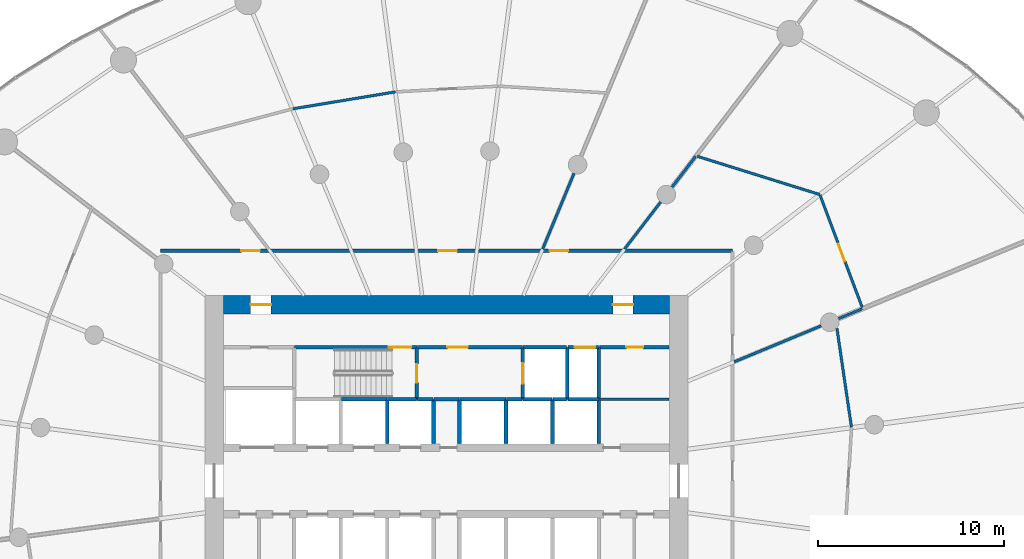
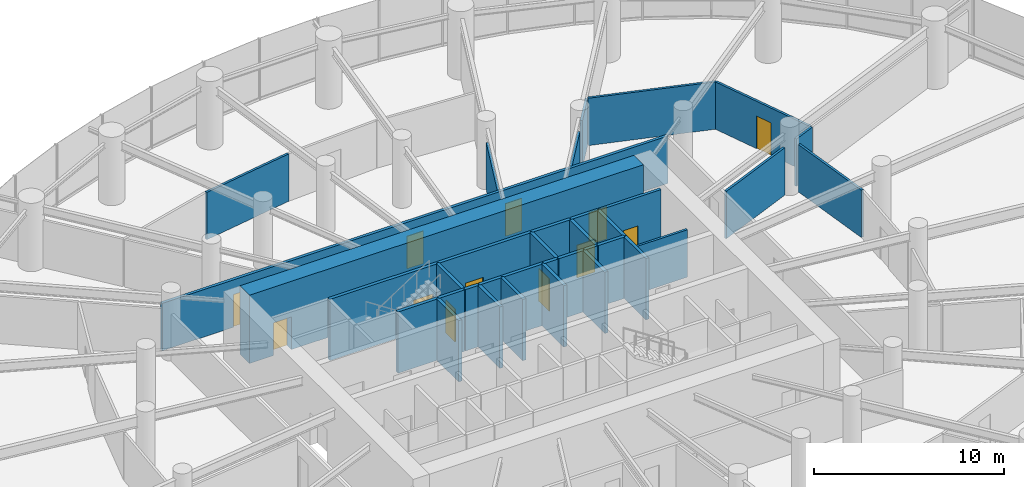
# One storey, part 15 of 19: 36 walls, 12 doors, 12 openings.
"""IFC4 building model written with IfcOpenShell, lengths in metres."""

from ifc_helpers import new_model, si_unit, direction, frame, frame_2d, origin, place, context, subcontext, project, spatial, rectangle, extrude, source, transform, mapped, material, layer, layer_set, type_object, element, fill, save


model = new_model("IFC4")

# Units and contexts
model_context = context("Model", 3, precision=1e-05, world=origin(), true_north=direction((0.0, 1.0)))
body_context = subcontext(model_context, "Body", "Model", "MODEL_VIEW")
ifc_project = project(units=[si_unit("LENGTHUNIT", "METRE"), si_unit("AREAUNIT", "SQUARE_METRE"), si_unit("VOLUMEUNIT", "CUBIC_METRE"), si_unit("PLANEANGLEUNIT", "RADIAN"), si_unit("MASSUNIT", "GRAM", prefix="KILO")], contexts=[model_context])

# Site, building, storey
site_placement = place(None, origin())
site = spatial("IfcSite", under=ifc_project, at=site_placement, CompositionType="ELEMENT")
building_placement = place(site_placement, origin())
building = spatial("IfcBuilding", under=site, at=building_placement, Name="Spindrift Exchange Tower", CompositionType="ELEMENT")
storey_placement = place(building_placement, frame((0.0, 0.0, 57.800048828125)))
storey = spatial("IfcBuildingStorey", under=building, at=storey_placement, Name="L13", CompositionType="ELEMENT", Elevation=57.800048828125)

# Wall, openings, doors
ifc_material_1 = material(Name="Concrete 80 MPa", Category="concrete")
ifc_layer_1 = layer(ifc_material_1, 1.0)
ifc_layer_set_1 = layer_set([ifc_layer_1], Name="RC Core Wall 1000 Concrete 80 MPa")
wall_type_1 = type_object("IfcWallType", Name="RC Core Wall 1000 Concrete 80 MPa", PredefinedType="SHEAR", material=ifc_layer_set_1)
wall_1_placement = place(storey_placement, frame((64.0, 57.5, 0.0), z_axis=(0.0, 0.0, 1.0), x_axis=(-1.0, 0.0, 0.0)))
wall_1 = element("IfcWall", 1, at=wall_1_placement, inside=storey, type_object=wall_type_1, Name="Core wall N L13", PredefinedType="SHEAR", context=body_context, shape_type="SweptSolid", body=[
    extrude(rectangle(XDim=24.0, YDim=1.0, at=frame_2d((12.0, 0.0))), origin(), (0.0, 0.0, 1.0), 4.39990234375),
])
opening_1_placement = place(wall_1_placement, frame((21.449951171875, 0.0, 0.0)))
opening_1 = element("IfcOpeningElement", 2, at=opening_1_placement, cuts=wall_1, Name="Opening L13-D20", PredefinedType="OPENING", context=body_context, shape_type="SweptSolid", body=[
    extrude(rectangle(XDim=1.10009765625, YDim=2.10009765625, at=frame_2d((0.550048828125, 1.050048828125))), frame((0.0, 0.510009765625, 0.0), z_axis=(0.0, -1.0, 0.0), x_axis=(1.0, 0.0, 0.0)), (0.0, 0.0, 1.0), 1.02001953125),
])
opening_2_placement = place(wall_1_placement, frame((1.949951171875, 0.0, 0.0)))
opening_2 = element("IfcOpeningElement", 3, at=opening_2_placement, cuts=wall_1, Name="Opening L13-D21", PredefinedType="OPENING", context=body_context, shape_type="SweptSolid", body=[
    extrude(rectangle(XDim=1.10009765625, YDim=2.10009765625, at=frame_2d((0.550048828125, 1.050048828125))), frame((0.0, 0.510009765625, 0.0), z_axis=(0.0, -1.0, 0.0), x_axis=(1.0, 0.0, 0.0)), (0.0, 0.0, 1.0), 1.02001953125),
])
ifc_material_2 = material(Name="Steel fire door", Category="steel")
door_type_1 = type_object("IfcDoorType", Name="DR-STAIR-1100", OperationType="NOTDEFINED", PredefinedType="DOOR", material=ifc_material_2)
shared_shape_1 = source(origin(), body_context, "Body", "SweptSolid", [
    extrude(rectangle(XDim=1.10009765625, YDim=2.10009765625, at=frame_2d((0.550048828125, 1.050048828125))), frame((0.0, 0.02490234375, 0.0), z_axis=(0.0, -1.0, 0.0), x_axis=(1.0, 0.0, 0.0)), (0.0, 0.0, 1.0), 0.050048828125),
])
door_1_placement = place(opening_1_placement, origin())
door_1 = element("IfcDoor", 4, at=door_1_placement, inside=storey, type_object=door_type_1, Name="L13 Stair door 20", OperationType="SINGLE_SWING_LEFT", OverallHeight=2.10009765625, OverallWidth=1.10009765625, PredefinedType="DOOR", context=body_context, shape_type="MappedRepresentation", body=[
    mapped(shared_shape_1, transform((0.0, 0.0, 0.0), scale=1.0)),
])
fill(opening_1, door_1)
door_2_placement = place(opening_2_placement, origin())
door_2 = element("IfcDoor", 5, at=door_2_placement, inside=storey, type_object=door_type_1, Name="L13 Stair door 21", OperationType="SINGLE_SWING_RIGHT", OverallHeight=2.10009765625, OverallWidth=1.10009765625, PredefinedType="DOOR", context=body_context, shape_type="MappedRepresentation", body=[
    mapped(shared_shape_1, transform((0.0, 0.0, 0.0), scale=1.0)),
])
fill(opening_2, door_2)

# Wall, opening, door
ifc_material_3 = material(Name="Fire-rated plasterboard partition", Category="gypsum")
ifc_layer_2 = layer(ifc_material_3, 0.179931640625)
ifc_layer_set_2 = layer_set([ifc_layer_2], Name="W-CORR-180")
wall_type_2 = type_object("IfcWallType", Name="W-CORR-180", PredefinedType="PARTITIONING", material=ifc_layer_set_2)
wall_2_placement = place(storey_placement, frame((63.97998046875, 55.199951171875, 0.0), z_axis=(0.0, 0.0, 1.0), x_axis=(-1.0, 0.0, 0.0)))
wall_2 = element("IfcWall", 6, at=wall_2_placement, inside=storey, type_object=wall_type_2, Name="L13 Partition wall 64", PredefinedType="PARTITIONING", context=body_context, shape_type="SweptSolid", body=[
    extrude(rectangle(XDim=3.75, YDim=0.179931640625, at=frame_2d((1.875, 0.0))), origin(), (0.0, 0.0, 1.0), 3.949951171875),
])
opening_3_placement = place(wall_2_placement, frame((1.39990234375, 0.0, 0.0)))
opening_3 = element("IfcOpeningElement", 7, at=opening_3_placement, cuts=wall_2, Name="Opening L13-D51", PredefinedType="OPENING", context=body_context, shape_type="SweptSolid", body=[
    extrude(rectangle(XDim=0.89990234375, YDim=2.10009765625, at=frame_2d((0.449951171875, 1.050048828125))), frame((0.0, 0.099853515625, 0.0), z_axis=(0.0, -1.0, 0.0), x_axis=(1.0, 0.0, 0.0)), (0.0, 0.0, 1.0), 0.199951171875),
])
ifc_material_4 = material(Name="Steel access door", Category="steel")
door_type_2 = type_object("IfcDoorType", Name="DR-RISER-900", OperationType="NOTDEFINED", PredefinedType="DOOR", material=ifc_material_4)
shared_shape_2 = source(origin(), body_context, "Body", "SweptSolid", [
    extrude(rectangle(XDim=0.89990234375, YDim=2.10009765625, at=frame_2d((0.449951171875, 1.050048828125))), frame((0.0, 0.02490234375, 0.0), z_axis=(0.0, -1.0, 0.0), x_axis=(1.0, 0.0, 0.0)), (0.0, 0.0, 1.0), 0.050048828125),
])
door_3_placement = place(opening_3_placement, origin())
door_3 = element("IfcDoor", 8, at=door_3_placement, inside=storey, type_object=door_type_2, Name="L13 Riser door 51", OperationType="SINGLE_SWING_RIGHT", OverallHeight=2.10009765625, OverallWidth=0.89990234375, PredefinedType="DOOR", context=body_context, shape_type="MappedRepresentation", body=[
    mapped(shared_shape_2, transform((0.0, 0.0, 0.0), scale=1.0)),
])
fill(opening_3, door_3)

# Walls
ifc_layer_3 = layer(ifc_material_3, 0.139892578125)
ifc_layer_set_3 = layer_set([ifc_layer_3], Name="W-PART-140")
wall_type_3 = type_object("IfcWallType", Name="W-PART-140", PredefinedType="PARTITIONING", material=ifc_layer_set_3)
wall_3_placement = place(storey_placement, frame((63.97998046875, 52.39990234375, 0.0), z_axis=(0.0, 0.0, 1.0), x_axis=(-1.0, 0.0, 0.0)))
element("IfcWall", 9, at=wall_3_placement, inside=storey, type_object=wall_type_3, Name="L13 Partition wall 105", PredefinedType="PARTITIONING", context=body_context, shape_type="SweptSolid", body=[
    extrude(rectangle(XDim=3.75, YDim=0.139892578125, at=frame_2d((1.875, 0.0))), origin(), (0.0, 0.0, 1.0), 3.050048828125),
])
ifc_layer_4 = layer(ifc_material_3, 0.139892578125)
ifc_layer_set_4 = layer_set([ifc_layer_4], Name="W-PLANT-140")
wall_type_4 = type_object("IfcWallType", Name="W-PLANT-140", PredefinedType="PARTITIONING", material=ifc_layer_set_4)
wall_4_placement = place(storey_placement, frame((72.101318359375, 63.42431640625, 0.0), z_axis=(0.0, 0.0, 1.0), x_axis=(-0.954540929829, 0.298079877351, 0.0)))
element("IfcWall", 10, at=wall_4_placement, inside=storey, type_object=wall_type_4, Name="L13 Partition wall 73", PredefinedType="PARTITIONING", context=body_context, shape_type="SweptSolid", body=[
    extrude(rectangle(XDim=6.9111328125, YDim=0.139892578125, at=frame_2d((3.45556640625, 0.0))), origin(), (0.0, 0.0, 1.0), 3.050048828125),
])

# Wall, opening, door
wall_5_placement = place(storey_placement, frame((72.11181640625, 63.39599609375, 0.0), z_axis=(0.0, 0.0, 1.0), x_axis=(0.351475385959, -0.936197122974, 0.0)))
wall_5 = element("IfcWall", 11, at=wall_5_placement, inside=storey, type_object=wall_type_4, Name="L13 Partition wall 75", PredefinedType="PARTITIONING", context=body_context, shape_type="SweptSolid", body=[
    extrude(rectangle(XDim=6.46142578125, YDim=0.139892578125, at=frame_2d((3.230712890625, 0.0))), origin(), (0.0, 0.0, 1.0), 3.050048828125),
])
opening_4_placement = place(wall_5_placement, frame((2.811279296875, 0.0, 0.0)))
opening_4 = element("IfcOpeningElement", 12, at=opening_4_placement, cuts=wall_5, Name="Opening L13-D35", PredefinedType="OPENING", context=body_context, shape_type="SweptSolid", body=[
    extrude(rectangle(XDim=1.0, YDim=2.10009765625, at=frame_2d((0.5, 1.050048828125))), frame((0.0, 0.079833984375, 0.0), z_axis=(0.0, -1.0, 0.0), x_axis=(1.0, 0.0, 0.0)), (0.0, 0.0, 1.0), 0.159912109375),
])
ifc_material_5 = material(Name="Timber-core fire door", Category="wood")
door_type_3 = type_object("IfcDoorType", Name="DR-ROOM-1000", OperationType="NOTDEFINED", PredefinedType="DOOR", material=ifc_material_5)
shared_shape_3 = source(origin(), body_context, "Body", "SweptSolid", [
    extrude(rectangle(XDim=1.0, YDim=2.10009765625, at=frame_2d((0.5, 1.050048828125))), frame((0.0, 0.02490234375, 0.0), z_axis=(0.0, -1.0, 0.0), x_axis=(1.0, 0.0, 0.0)), (0.0, 0.0, 1.0), 0.050048828125),
])
door_4_placement = place(opening_4_placement, origin())
door_4 = element("IfcDoor", 13, at=door_4_placement, inside=storey, type_object=door_type_3, Name="L13 Door 35", OperationType="SINGLE_SWING_RIGHT", OverallHeight=2.10009765625, OverallWidth=1.0, PredefinedType="DOOR", context=body_context, shape_type="MappedRepresentation", body=[
    mapped(shared_shape_3, transform((0.0, 0.0, 0.0), scale=1.0)),
])
fill(opening_4, door_4)

# Walls
wall_6_placement = place(storey_placement, frame((49.241455078125, 68.953369140625, 0.0), z_axis=(0.0, 0.0, 1.0), x_axis=(-0.986639663996, -0.162917689125, 0.0)))
element("IfcWall", 14, at=wall_6_placement, inside=storey, type_object=wall_type_4, Name="L13 Partition wall 86", PredefinedType="PARTITIONING", context=body_context, shape_type="SweptSolid", body=[
    extrude(rectangle(XDim=5.586669921875, YDim=0.139892578125, at=frame_2d((2.79345703125, 0.0))), origin(), (0.0, 0.0, 1.0), 3.050048828125),
])
wall_7_placement = place(storey_placement, frame((73.803955078125, 50.90087890625, 0.0), z_axis=(0.0, 0.0, 1.0), x_axis=(-0.145444313647, 0.989366439509, 0.0)))
element("IfcWall", 15, at=wall_7_placement, inside=storey, type_object=wall_type_4, Name="L13 Partition wall 91", PredefinedType="PARTITIONING", context=body_context, shape_type="SweptSolid", body=[
    extrude(rectangle(XDim=5.37646484375, YDim=0.139892578125, at=frame_2d((2.688232421875, 0.0))), origin(), (0.0, 0.0, 1.0), 3.050048828125),
])
wall_8_placement = place(storey_placement, frame((67.489990234375, 54.416259765625, 0.0), z_axis=(0.0, 0.0, 1.0), x_axis=(0.923890025086, 0.382658100067, 0.0)))
element("IfcWall", 16, at=wall_8_placement, inside=storey, type_object=wall_type_4, Name="L13 Partition wall 95", PredefinedType="PARTITIONING", context=body_context, shape_type="SweptSolid", body=[
    extrude(rectangle(XDim=5.068359375, YDim=0.139892578125, at=frame_2d((2.5341796875, 0.0))), origin(), (0.0, 0.0, 1.0), 3.050048828125),
])
wall_9_placement = place(storey_placement, frame((57.173583984375, 60.489990234375, 0.0), z_axis=(0.0, 0.0, 1.0), x_axis=(0.382672831764, 0.923883923353, 0.0)))
element("IfcWall", 17, at=wall_9_placement, inside=storey, type_object=wall_type_4, Name="L13 Partition wall 99", PredefinedType="PARTITIONING", context=body_context, shape_type="SweptSolid", body=[
    extrude(rectangle(XDim=4.410400390625, YDim=0.139892578125, at=frame_2d((2.205078125, 0.0))), origin(), (0.0, 0.0, 1.0), 3.050048828125),
])
wall_10_placement = place(storey_placement, frame((61.583984375, 60.489990234375, 0.0), z_axis=(0.0, 0.0, 1.0), x_axis=(0.60874605662, 0.793365135703, 0.0)))
element("IfcWall", 18, at=wall_10_placement, inside=storey, type_object=wall_type_4, Name="L13 Partition wall 110", PredefinedType="PARTITIONING", context=body_context, shape_type="SweptSolid", body=[
    extrude(rectangle(XDim=3.193603515625, YDim=0.139892578125, at=frame_2d((1.5966796875, 0.0))), origin(), (0.0, 0.0, 1.0), 3.050048828125),
])
wall_11_placement = place(storey_placement, frame((64.14208984375, 63.823974609375, 0.0), z_axis=(0.0, 0.0, 1.0), x_axis=(0.608762392913, 0.793352600661, 0.0)))
element("IfcWall", 19, at=wall_11_placement, inside=storey, type_object=wall_type_4, Name="L13 Partition wall 120", PredefinedType="PARTITIONING", context=body_context, shape_type="SweptSolid", body=[
    extrude(rectangle(XDim=2.091064453125, YDim=0.139892578125, at=frame_2d((1.04541015625, 0.0))), origin(), (0.0, 0.0, 1.0), 3.050048828125),
])
wall_12_placement = place(storey_placement, frame((73.10595703125, 56.7421875, 0.0), z_axis=(0.0, 0.0, 1.0), x_axis=(0.923813917136, 0.382841803498, 0.0)))
element("IfcWall", 20, at=wall_12_placement, inside=storey, type_object=wall_type_4, Name="L13 Partition wall 130", PredefinedType="PARTITIONING", context=body_context, shape_type="SweptSolid", body=[
    extrude(rectangle(XDim=1.378662109375, YDim=0.139892578125, at=frame_2d((0.689453125, 0.0))), origin(), (0.0, 0.0, 1.0), 3.050048828125),
])

# Wall, openings, doors
ifc_layer_5 = layer(ifc_material_3, 0.179931640625)
ifc_layer_set_5 = layer_set([ifc_layer_5], Name="W-PLANT-180")
wall_type_5 = type_object("IfcWallType", Name="W-PLANT-180", PredefinedType="PARTITIONING", material=ifc_layer_set_5)
wall_13_placement = place(storey_placement, frame((36.60009765625, 60.39990234375, 0.0), z_axis=(0.0, 0.0, 1.0), x_axis=(1.0, 0.0, 0.0)))
wall_13 = element("IfcWall", 21, at=wall_13_placement, inside=storey, type_object=wall_type_5, Name="L13 Partition wall 58", PredefinedType="PARTITIONING", context=body_context, shape_type="SweptSolid", body=[
    extrude(rectangle(XDim=30.7998046875, YDim=0.179931640625, at=frame_2d((15.39990234375, 0.0))), origin(), (0.0, 0.0, 1.0), 3.050048828125),
])
opening_5_placement = place(wall_13_placement, frame((20.949951171875, 0.0, 0.0)))
opening_5 = element("IfcOpeningElement", 22, at=opening_5_placement, cuts=wall_13, Name="Opening L13-D36", PredefinedType="OPENING", context=body_context, shape_type="SweptSolid", body=[
    extrude(rectangle(XDim=1.0, YDim=2.10009765625, at=frame_2d((0.5, 1.050048828125))), frame((0.0, 0.099853515625, 0.0), z_axis=(0.0, -1.0, 0.0), x_axis=(1.0, 0.0, 0.0)), (0.0, 0.0, 1.0), 0.199951171875),
])
opening_6_placement = place(wall_13_placement, frame((14.949951171875, 0.0, 0.0)))
opening_6 = element("IfcOpeningElement", 23, at=opening_6_placement, cuts=wall_13, Name="Opening L13-D37", PredefinedType="OPENING", context=body_context, shape_type="SweptSolid", body=[
    extrude(rectangle(XDim=1.0, YDim=2.10009765625, at=frame_2d((0.5, 1.050048828125))), frame((0.0, 0.099853515625, 0.0), z_axis=(0.0, -1.0, 0.0), x_axis=(1.0, 0.0, 0.0)), (0.0, 0.0, 1.0), 0.199951171875),
])
opening_7_placement = place(wall_13_placement, frame((4.35009765625, 0.0, 0.0)))
opening_7 = element("IfcOpeningElement", 24, at=opening_7_placement, cuts=wall_13, Name="Opening L13-D39", PredefinedType="OPENING", context=body_context, shape_type="SweptSolid", body=[
    extrude(rectangle(XDim=1.0, YDim=2.10009765625, at=frame_2d((0.5, 1.050048828125))), frame((0.0, 0.099853515625, 0.0), z_axis=(0.0, -1.0, 0.0), x_axis=(1.0, 0.0, 0.0)), (0.0, 0.0, 1.0), 0.199951171875),
])
door_5_placement = place(opening_5_placement, origin())
door_5 = element("IfcDoor", 25, at=door_5_placement, inside=storey, type_object=door_type_3, Name="L13 Door 36", OperationType="SINGLE_SWING_LEFT", OverallHeight=2.10009765625, OverallWidth=1.0, PredefinedType="DOOR", context=body_context, shape_type="MappedRepresentation", body=[
    mapped(shared_shape_3, transform((0.0, 0.0, 0.0), scale=1.0)),
])
fill(opening_5, door_5)
door_6_placement = place(opening_6_placement, origin())
door_6 = element("IfcDoor", 26, at=door_6_placement, inside=storey, type_object=door_type_3, Name="L13 Door 37", OperationType="SINGLE_SWING_RIGHT", OverallHeight=2.10009765625, OverallWidth=1.0, PredefinedType="DOOR", context=body_context, shape_type="MappedRepresentation", body=[
    mapped(shared_shape_3, transform((0.0, 0.0, 0.0), scale=1.0)),
])
fill(opening_6, door_6)
door_7_placement = place(opening_7_placement, origin())
door_7 = element("IfcDoor", 27, at=door_7_placement, inside=storey, type_object=door_type_3, Name="L13 Door 39", OperationType="SINGLE_SWING_RIGHT", OverallHeight=2.10009765625, OverallWidth=1.0, PredefinedType="DOOR", context=body_context, shape_type="MappedRepresentation", body=[
    mapped(shared_shape_3, transform((0.0, 0.0, 0.0), scale=1.0)),
])
fill(opening_7, door_7)

# Wall, opening, door
ifc_material_6 = material(Name="Concrete 40 MPa", Category="concrete")
ifc_layer_6 = layer(ifc_material_6, 0.199951171875)
ifc_layer_set_6 = layer_set([ifc_layer_6], Name="W-SHAFT-200")
wall_type_6 = type_object("IfcWallType", Name="W-SHAFT-200", PredefinedType="SOLIDWALL", material=ifc_layer_set_6)
wall_14_placement = place(storey_placement, frame((56.10009765625, 55.169921875, 0.0), z_axis=(0.0, 0.0, 1.0), x_axis=(0.0, -1.0, 0.0)))
wall_14 = element("IfcWall", 28, at=wall_14_placement, inside=storey, type_object=wall_type_6, Name="L13 Shaft wall 12", PredefinedType="SOLIDWALL", context=body_context, shape_type="SweptSolid", body=[
    extrude(rectangle(XDim=2.77001953125, YDim=0.199951171875, at=frame_2d((1.385009765625, 0.0))), origin(), (0.0, 0.0, 1.0), 3.949951171875),
])
opening_8_placement = place(wall_14_placement, frame((0.820068359375, 0.0, 0.0)))
opening_8 = element("IfcOpeningElement", 29, at=opening_8_placement, cuts=wall_14, Name="Opening L13-D9", PredefinedType="OPENING", context=body_context, shape_type="SweptSolid", body=[
    extrude(rectangle(XDim=1.10009765625, YDim=2.10009765625, at=frame_2d((0.550048828125, 1.050048828125))), frame((0.0, 0.10986328125, 0.0), z_axis=(0.0, -1.0, 0.0), x_axis=(1.0, 0.0, 0.0)), (0.0, 0.0, 1.0), 0.219970703125),
])
ifc_material_7 = material(Name="Stainless steel landing door", Category="steel")
door_type_4 = type_object("IfcDoorType", Name="DR-LANDING-1100-SL", OperationType="DOUBLE_DOOR_SLIDING", PredefinedType="USERDEFINED", material=ifc_material_7)
shared_shape_4 = source(origin(), body_context, "Body", "SweptSolid", [
    extrude(rectangle(XDim=1.10009765625, YDim=2.10009765625, at=frame_2d((0.550048828125, 1.050048828125))), frame((0.0, 0.02490234375, 0.0), z_axis=(0.0, -1.0, 0.0), x_axis=(1.0, 0.0, 0.0)), (0.0, 0.0, 1.0), 0.050048828125),
])
door_8_placement = place(opening_8_placement, origin())
door_8 = element("IfcDoor", 30, at=door_8_placement, inside=storey, type_object=door_type_4, Name="L13 Lift landing door 9", ObjectType="LANDING DOOR", OperationType="DOUBLE_DOOR_SLIDING", OverallHeight=2.10009765625, OverallWidth=1.10009765625, PredefinedType="USERDEFINED", context=body_context, shape_type="MappedRepresentation", body=[
    mapped(shared_shape_4, transform((0.0, 0.0, 0.0), scale=1.0)),
])
fill(opening_8, door_8)

# Walls
for number, where, z_axis, x_axis, name in (
    (31, (58.5, 52.39990234375, 0.0), (0.0, 0.0, 1.0), (0.0, 1.0, 0.0), "L13 Shaft wall 13"),
    (32, (60.199951171875, 52.39990234375, 0.0), (0.0, 0.0, 1.0), (0.0, 1.0, 0.0), "L13 Shaft wall 14"),
):
    element("IfcWall", number, at=place(storey_placement, frame(where, z_axis=z_axis, x_axis=x_axis)), inside=storey, type_object=wall_type_6, Name=name, PredefinedType="SOLIDWALL", context=body_context, shape_type="SweptSolid", body=[
        extrude(rectangle(XDim=2.800048828125, YDim=0.199951171875, at=frame_2d((1.39990234375, 0.0))), origin(), (0.0, 0.0, 1.0), 3.949951171875),
    ])
wall_15_placement = place(storey_placement, frame((55.199951171875, 52.39990234375, 0.0), z_axis=(0.0, 0.0, 1.0), x_axis=(-1.0, 0.0, 0.0)))
element("IfcWall", 33, at=wall_15_placement, inside=storey, type_object=wall_type_6, Name="L13 Shaft wall 18", PredefinedType="SOLIDWALL", context=body_context, shape_type="SweptSolid", body=[
    extrude(rectangle(XDim=2.5, YDim=0.199951171875, at=frame_2d((1.25, 0.0))), origin(), (0.0, 0.0, 1.0), 3.949951171875),
])
wall_16_placement = place(storey_placement, frame((58.469970703125, 55.199951171875, 0.0), z_axis=(0.0, 0.0, 1.0), x_axis=(-1.0, 0.0, 0.0)))
element("IfcWall", 34, at=wall_16_placement, inside=storey, type_object=wall_type_6, Name="L13 Shaft wall 22", PredefinedType="SOLIDWALL", context=body_context, shape_type="SweptSolid", body=[
    extrude(rectangle(XDim=2.340087890625, YDim=0.199951171875, at=frame_2d((1.169921875, 0.0))), origin(), (0.0, 0.0, 1.0), 3.949951171875),
])
wall_17_placement = place(storey_placement, frame((51.300048828125, 50.010009765625, 0.0), z_axis=(0.0, 0.0, 1.0), x_axis=(0.0, 1.0, 0.0)))
element("IfcWall", 35, at=wall_17_placement, inside=storey, type_object=wall_type_6, Name="L13 Shaft wall 30", PredefinedType="SOLIDWALL", context=body_context, shape_type="SweptSolid", body=[
    extrude(rectangle(XDim=2.389892578125, YDim=0.199951171875, at=frame_2d((1.19482421875, 0.0))), origin(), (0.0, 0.0, 1.0), 3.949951171875),
])
for number, where, z_axis, x_axis, name in (
    (36, (52.699951171875, 52.3701171875, 0.0), (0.0, 0.0, 1.0), (0.0, -1.0, 0.0), "L13 Shaft wall 32"),
    (37, (55.199951171875, 50.010009765625, 0.0), (0.0, 0.0, 1.0), (0.0, 1.0, 0.0), "L13 Shaft wall 34"),
):
    element("IfcWall", number, at=place(storey_placement, frame(where, z_axis=z_axis, x_axis=x_axis)), inside=storey, type_object=wall_type_6, Name=name, PredefinedType="SOLIDWALL", context=body_context, shape_type="SweptSolid", body=[
        extrude(rectangle(XDim=2.360107421875, YDim=0.199951171875, at=frame_2d((1.18017578125, 0.0))), origin(), (0.0, 0.0, 1.0), 3.949951171875),
    ])
wall_18_placement = place(storey_placement, frame((57.699951171875, 50.010009765625, 0.0), z_axis=(0.0, 0.0, 1.0), x_axis=(0.0, 1.0, 0.0)))
element("IfcWall", 38, at=wall_18_placement, inside=storey, type_object=wall_type_6, Name="L13 Shaft wall 36", PredefinedType="SOLIDWALL", context=body_context, shape_type="SweptSolid", body=[
    extrude(rectangle(XDim=2.389892578125, YDim=0.199951171875, at=frame_2d((1.19482421875, 0.0))), origin(), (0.0, 0.0, 1.0), 3.949951171875),
])
wall_19_placement = place(storey_placement, frame((60.199951171875, 50.010009765625, 0.0), z_axis=(0.0, 0.0, 1.0), x_axis=(0.0, 1.0, 0.0)))
element("IfcWall", 39, at=wall_19_placement, inside=storey, type_object=wall_type_6, Name="L13 Shaft wall 38", PredefinedType="SOLIDWALL", context=body_context, shape_type="SweptSolid", body=[
    extrude(rectangle(XDim=2.360107421875, YDim=0.199951171875, at=frame_2d((1.18017578125, 0.0))), origin(), (0.0, 0.0, 1.0), 3.949951171875),
])
wall_20_placement = place(storey_placement, frame((60.169921875, 52.39990234375, 0.0), z_axis=(0.0, 0.0, 1.0), x_axis=(-1.0, 0.0, 0.0)))
element("IfcWall", 40, at=wall_20_placement, inside=storey, type_object=wall_type_6, Name="L13 Shaft wall 42", PredefinedType="SOLIDWALL", context=body_context, shape_type="SweptSolid", body=[
    extrude(rectangle(XDim=1.639892578125, YDim=0.199951171875, at=frame_2d((0.81982421875, 0.0))), origin(), (0.0, 0.0, 1.0), 3.949951171875),
])

# Wall, opening, door
wall_21_placement = place(storey_placement, frame((60.169921875, 55.199951171875, 0.0), z_axis=(0.0, 0.0, 1.0), x_axis=(-1.0, 0.0, 0.0)))
wall_21 = element("IfcWall", 41, at=wall_21_placement, inside=storey, type_object=wall_type_6, Name="L13 Shaft wall 43", PredefinedType="SOLIDWALL", context=body_context, shape_type="SweptSolid", body=[
    extrude(rectangle(XDim=1.639892578125, YDim=0.199951171875, at=frame_2d((0.81982421875, 0.0))), origin(), (0.0, 0.0, 1.0), 3.949951171875),
])
opening_9_placement = place(wall_21_placement, frame((0.169921875, 0.0, 0.0)))
opening_9 = element("IfcOpeningElement", 42, at=opening_9_placement, cuts=wall_21, Name="Opening L13-D11", PredefinedType="OPENING", context=body_context, shape_type="SweptSolid", body=[
    extrude(rectangle(XDim=1.10009765625, YDim=2.10009765625, at=frame_2d((0.550048828125, 1.050048828125))), frame((0.0, 0.10986328125, 0.0), z_axis=(0.0, -1.0, 0.0), x_axis=(1.0, 0.0, 0.0)), (0.0, 0.0, 1.0), 0.219970703125),
])
door_9_placement = place(opening_9_placement, origin())
door_9 = element("IfcDoor", 43, at=door_9_placement, inside=storey, type_object=door_type_4, Name="L13 Lift landing door 11", ObjectType="LANDING DOOR", OperationType="DOUBLE_DOOR_SLIDING", OverallHeight=2.10009765625, OverallWidth=1.10009765625, PredefinedType="USERDEFINED", context=body_context, shape_type="MappedRepresentation", body=[
    mapped(shared_shape_4, transform((0.0, 0.0, 0.0), scale=1.0)),
])
fill(opening_9, door_9)

# Walls
wall_22_placement = place(storey_placement, frame((57.669921875, 52.39990234375, 0.0), z_axis=(0.0, 0.0, 1.0), x_axis=(-1.0, 0.0, 0.0)))
element("IfcWall", 44, at=wall_22_placement, inside=storey, type_object=wall_type_6, Name="L13 Shaft wall 47", PredefinedType="SOLIDWALL", context=body_context, shape_type="SweptSolid", body=[
    extrude(rectangle(XDim=1.5400390625, YDim=0.199951171875, at=frame_2d((0.77001953125, 0.0))), origin(), (0.0, 0.0, 1.0), 3.949951171875),
])
wall_23_placement = place(storey_placement, frame((51.330078125, 52.39990234375, 0.0), z_axis=(0.0, 0.0, 1.0), x_axis=(1.0, 0.0, 0.0)))
element("IfcWall", 45, at=wall_23_placement, inside=storey, type_object=wall_type_6, Name="L13 Shaft wall 49", PredefinedType="SOLIDWALL", context=body_context, shape_type="SweptSolid", body=[
    extrude(rectangle(XDim=1.33984375, YDim=0.199951171875, at=frame_2d((0.669921875, 0.0))), origin(), (0.0, 0.0, 1.0), 3.949951171875),
])
wall_24_placement = place(storey_placement, frame((56.070068359375, 52.39990234375, 0.0), z_axis=(0.0, 0.0, 1.0), x_axis=(-1.0, 0.0, 0.0)))
element("IfcWall", 46, at=wall_24_placement, inside=storey, type_object=wall_type_6, Name="L13 Shaft wall 53", PredefinedType="SOLIDWALL", context=body_context, shape_type="SweptSolid", body=[
    extrude(rectangle(XDim=0.840087890625, YDim=0.199951171875, at=frame_2d((0.419921875, 0.0))), origin(), (0.0, 0.0, 1.0), 3.949951171875),
])
wall_25_placement = place(storey_placement, frame((58.469970703125, 52.39990234375, 0.0), z_axis=(0.0, 0.0, 1.0), x_axis=(-1.0, 0.0, 0.0)))
element("IfcWall", 47, at=wall_25_placement, inside=storey, type_object=wall_type_6, Name="L13 Shaft wall 55", PredefinedType="SOLIDWALL", context=body_context, shape_type="SweptSolid", body=[
    extrude(rectangle(XDim=0.739990234375, YDim=0.199951171875, at=frame_2d((0.3701171875, 0.0))), origin(), (0.0, 0.0, 1.0), 3.949951171875),
])

# Wall, opening, door
ifc_layer_7 = layer(ifc_material_6, 0.199951171875)
ifc_layer_set_7 = layer_set([ifc_layer_7], Name="W-SHAFT-200-LB")
wall_type_7 = type_object("IfcWallType", Name="W-SHAFT-200-LB", PredefinedType="SOLIDWALL", material=ifc_layer_set_7)
wall_26_placement = place(storey_placement, frame((50.39990234375, 55.199951171875, 0.0), z_axis=(0.0, 0.0, 1.0), x_axis=(-1.0, 0.0, 0.0)))
wall_26 = element("IfcWall", 48, at=wall_26_placement, inside=storey, type_object=wall_type_7, Name="L13 Shaft wall 1", PredefinedType="SOLIDWALL", context=body_context, shape_type="SweptSolid", body=[
    extrude(rectangle(XDim=6.599853515625, YDim=0.199951171875, at=frame_2d((3.2998046875, 0.0))), origin(), (0.0, 0.0, 1.0), 3.949951171875),
])
opening_10_placement = place(wall_26_placement, frame((0.300048828125, 0.0, 0.0)))
opening_10 = element("IfcOpeningElement", 49, at=opening_10_placement, cuts=wall_26, Name="Opening L13-D13", PredefinedType="OPENING", context=body_context, shape_type="SweptSolid", body=[
    extrude(rectangle(XDim=1.199951171875, YDim=2.10009765625, at=frame_2d((0.60009765625, 1.050048828125))), frame((0.0, 0.10986328125, 0.0), z_axis=(0.0, -1.0, 0.0), x_axis=(1.0, 0.0, 0.0)), (0.0, 0.0, 1.0), 0.219970703125),
])
door_type_5 = type_object("IfcDoorType", Name="DR-STAIR-1200", OperationType="NOTDEFINED", PredefinedType="DOOR", material=ifc_material_2)
shared_shape_5 = source(origin(), body_context, "Body", "SweptSolid", [
    extrude(rectangle(XDim=1.199951171875, YDim=2.10009765625, at=frame_2d((0.60009765625, 1.050048828125))), frame((0.0, 0.02490234375, 0.0), z_axis=(0.0, -1.0, 0.0), x_axis=(1.0, 0.0, 0.0)), (0.0, 0.0, 1.0), 0.050048828125),
])
door_10_placement = place(opening_10_placement, origin())
door_10 = element("IfcDoor", 50, at=door_10_placement, inside=storey, type_object=door_type_5, Name="L13 Stair door 13", OperationType="SINGLE_SWING_RIGHT", OverallHeight=2.10009765625, OverallWidth=1.199951171875, PredefinedType="DOOR", context=body_context, shape_type="MappedRepresentation", body=[
    mapped(shared_shape_5, transform((0.0, 0.0, 0.0), scale=1.0)),
])
fill(opening_10, door_10)

wall_27_placement = place(storey_placement, frame((56.10009765625, 55.199951171875, 0.0), z_axis=(0.0, 0.0, 1.0), x_axis=(-1.0, 0.0, 0.0)))
wall_27 = element("IfcWall", 51, at=wall_27_placement, inside=storey, type_object=wall_type_7, Name="L13 Shaft wall 4", PredefinedType="SOLIDWALL", context=body_context, shape_type="SweptSolid", body=[
    extrude(rectangle(XDim=5.670166015625, YDim=0.199951171875, at=frame_2d((2.8349609375, 0.0))), origin(), (0.0, 0.0, 1.0), 3.949951171875),
])
opening_11_placement = place(wall_27_placement, frame((2.949951171875, 0.0, 0.0)))
opening_11 = element("IfcOpeningElement", 52, at=opening_11_placement, cuts=wall_27, Name="Opening L13-D15", PredefinedType="OPENING", context=body_context, shape_type="SweptSolid", body=[
    extrude(rectangle(XDim=1.10009765625, YDim=2.10009765625, at=frame_2d((0.550048828125, 1.050048828125))), frame((0.0, 0.10986328125, 0.0), z_axis=(0.0, -1.0, 0.0), x_axis=(1.0, 0.0, 0.0)), (0.0, 0.0, 1.0), 0.219970703125),
])
door_type_6 = type_object("IfcDoorType", Name="DR-LOBBY-1100", OperationType="NOTDEFINED", PredefinedType="DOOR", material=ifc_material_5)
shared_shape_6 = source(origin(), body_context, "Body", "SweptSolid", [
    extrude(rectangle(XDim=1.10009765625, YDim=2.10009765625, at=frame_2d((0.550048828125, 1.050048828125))), frame((0.0, 0.02490234375, 0.0), z_axis=(0.0, -1.0, 0.0), x_axis=(1.0, 0.0, 0.0)), (0.0, 0.0, 1.0), 0.050048828125),
])
door_11_placement = place(opening_11_placement, origin())
door_11 = element("IfcDoor", 53, at=door_11_placement, inside=storey, type_object=door_type_6, Name="L13 Lobby door 15", OperationType="SINGLE_SWING_RIGHT", OverallHeight=2.10009765625, OverallWidth=1.10009765625, PredefinedType="DOOR", context=body_context, shape_type="MappedRepresentation", body=[
    mapped(shared_shape_6, transform((0.0, 0.0, 0.0), scale=1.0)),
])
fill(opening_11, door_11)

wall_28_placement = place(storey_placement, frame((50.39990234375, 52.39990234375, 0.0), z_axis=(0.0, 0.0, 1.0), x_axis=(0.0, 1.0, 0.0)))
wall_28 = element("IfcWall", 54, at=wall_28_placement, inside=storey, type_object=wall_type_7, Name="L13 Shaft wall 9", PredefinedType="SOLIDWALL", context=body_context, shape_type="SweptSolid", body=[
    extrude(rectangle(XDim=2.77001953125, YDim=0.199951171875, at=frame_2d((1.385009765625, 0.0))), origin(), (0.0, 0.0, 1.0), 3.949951171875),
])
opening_12_placement = place(wall_28_placement, frame((0.89990234375, 0.0, 0.0)))
opening_12 = element("IfcOpeningElement", 55, at=opening_12_placement, cuts=wall_28, Name="Opening L13-D14", PredefinedType="OPENING", context=body_context, shape_type="SweptSolid", body=[
    extrude(rectangle(XDim=1.0, YDim=2.10009765625, at=frame_2d((0.5, 1.050048828125))), frame((0.0, 0.10986328125, 0.0), z_axis=(0.0, -1.0, 0.0), x_axis=(1.0, 0.0, 0.0)), (0.0, 0.0, 1.0), 0.219970703125),
])
door_type_7 = type_object("IfcDoorType", Name="DR-STAIR-1000", OperationType="NOTDEFINED", PredefinedType="DOOR", material=ifc_material_2)
shared_shape_7 = source(origin(), body_context, "Body", "SweptSolid", [
    extrude(rectangle(XDim=1.0, YDim=2.10009765625, at=frame_2d((0.5, 1.050048828125))), frame((0.0, 0.02490234375, 0.0), z_axis=(0.0, -1.0, 0.0), x_axis=(1.0, 0.0, 0.0)), (0.0, 0.0, 1.0), 0.050048828125),
])
door_12_placement = place(opening_12_placement, origin())
door_12 = element("IfcDoor", 56, at=door_12_placement, inside=storey, type_object=door_type_7, Name="L13 Stair door 14", OperationType="SINGLE_SWING_LEFT", OverallHeight=2.10009765625, OverallWidth=1.0, PredefinedType="DOOR", context=body_context, shape_type="MappedRepresentation", body=[
    mapped(shared_shape_7, transform((0.0, 0.0, 0.0), scale=1.0)),
])
fill(opening_12, door_12)

# Walls
wall_29_placement = place(storey_placement, frame((48.800048828125, 52.39990234375, 0.0), z_axis=(0.0, 0.0, 1.0), x_axis=(-1.0, 0.0, 0.0)))
element("IfcWall", 57, at=wall_29_placement, inside=storey, type_object=wall_type_7, Name="L13 Shaft wall 16", PredefinedType="SOLIDWALL", context=body_context, shape_type="SweptSolid", body=[
    extrude(rectangle(XDim=2.469970703125, YDim=0.199951171875, at=frame_2d((1.23486328125, 0.0))), origin(), (0.0, 0.0, 1.0), 3.949951171875),
])
wall_30_placement = place(storey_placement, frame((48.800048828125, 50.010009765625, 0.0), z_axis=(0.0, 0.0, 1.0), x_axis=(0.0, 1.0, 0.0)))
element("IfcWall", 58, at=wall_30_placement, inside=storey, type_object=wall_type_7, Name="L13 Shaft wall 28", PredefinedType="SOLIDWALL", context=body_context, shape_type="SweptSolid", body=[
    extrude(rectangle(XDim=2.360107421875, YDim=0.199951171875, at=frame_2d((1.18017578125, 0.0))), origin(), (0.0, 0.0, 1.0), 3.949951171875),
])
wall_31_placement = place(storey_placement, frame((50.3701171875, 52.39990234375, 0.0), z_axis=(0.0, 0.0, 1.0), x_axis=(-1.0, 0.0, 0.0)))
element("IfcWall", 59, at=wall_31_placement, inside=storey, type_object=wall_type_7, Name="L13 Shaft wall 45", PredefinedType="SOLIDWALL", context=body_context, shape_type="SweptSolid", body=[
    extrude(rectangle(XDim=1.5400390625, YDim=0.199951171875, at=frame_2d((0.77001953125, 0.0))), origin(), (0.0, 0.0, 1.0), 3.949951171875),
])
wall_32_placement = place(storey_placement, frame((51.27001953125, 52.39990234375, 0.0), z_axis=(0.0, 0.0, 1.0), x_axis=(-1.0, 0.0, 0.0)))
element("IfcWall", 60, at=wall_32_placement, inside=storey, type_object=wall_type_7, Name="L13 Shaft wall 51", PredefinedType="SOLIDWALL", context=body_context, shape_type="SweptSolid", body=[
    extrude(rectangle(XDim=0.840087890625, YDim=0.199951171875, at=frame_2d((0.419921875, 0.0))), origin(), (0.0, 0.0, 1.0), 3.949951171875),
])

save(model, "model.ifc")
